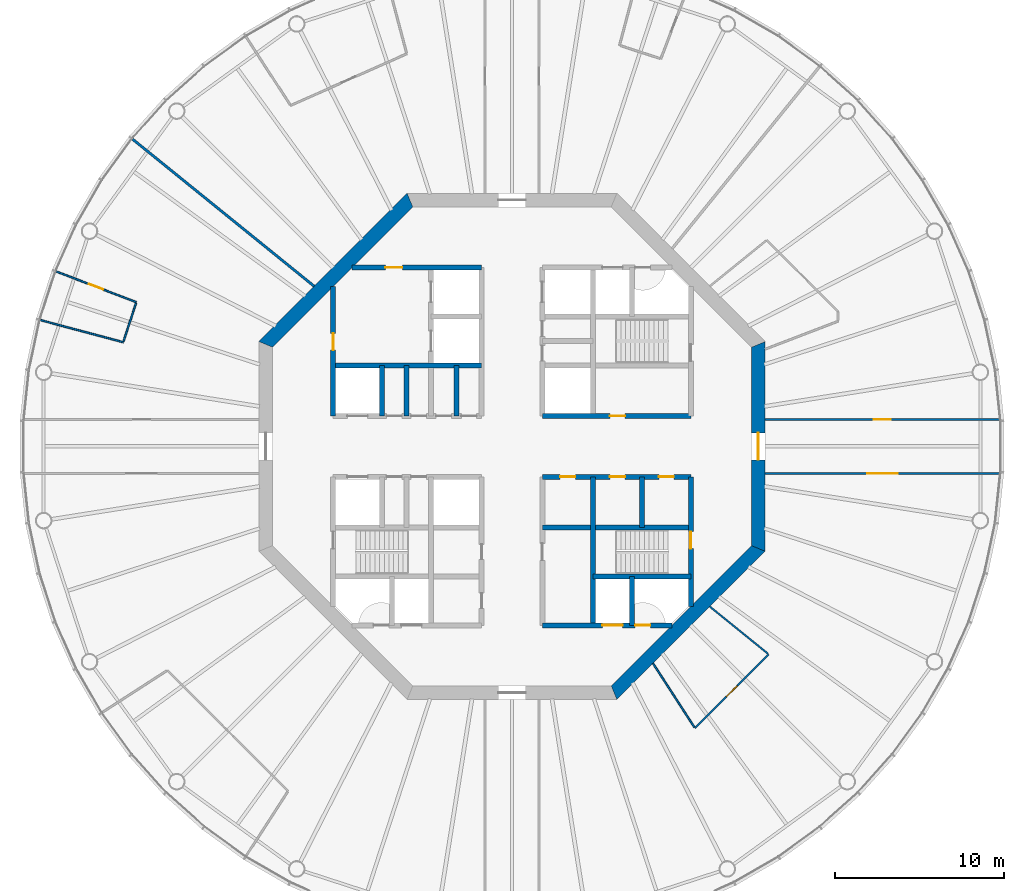
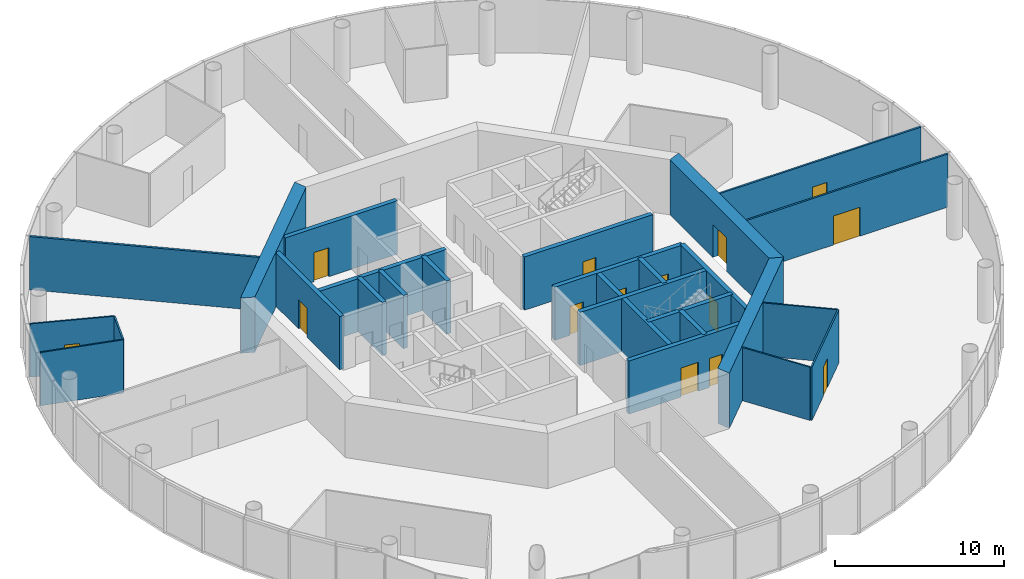
# One storey, part 4 of 13: 27 walls, 14 doors, 14 openings.
"""IFC4 building model written with IfcOpenShell, lengths in metres."""

from ifc_helpers import new_model, si_unit, direction, frame, frame_2d, origin, place, context, subcontext, project, spatial, polyline, rectangle, outline, extrude, material, layer, layer_set, type_object, element, fill, save


model = new_model("IFC4")

# Units and contexts
model_context = context("Model", 3, precision=1e-05, world=origin(), true_north=direction((0.0, 1.0)))
body_context = subcontext(model_context, "Body", "Model", "MODEL_VIEW")
ifc_project = project(units=[si_unit("LENGTHUNIT", "METRE"), si_unit("AREAUNIT", "SQUARE_METRE"), si_unit("VOLUMEUNIT", "CUBIC_METRE"), si_unit("PLANEANGLEUNIT", "RADIAN"), si_unit("MASSUNIT", "GRAM", prefix="KILO")], contexts=[model_context])

# Site, building, storey
site_placement = place(None, origin())
site = spatial("IfcSite", under=ifc_project, at=site_placement, CompositionType="ELEMENT")
building_placement = place(site_placement, origin())
building = spatial("IfcBuilding", under=site, at=building_placement, Name="Entoto Ring Tower", CompositionType="ELEMENT")
storey_placement = place(building_placement, frame((0.0, 0.0, 282.0)))
storey = spatial("IfcBuildingStorey", under=building, at=storey_placement, Name="L64", CompositionType="ELEMENT", Elevation=282.0)

# Wall, opening, door
ifc_material_1 = material(Name="Concrete C40/50", Category="concrete")
ifc_layer_1 = layer(ifc_material_1, 0.300048828125)
ifc_layer_set_1 = layer_set([ifc_layer_1], Name="Concrete C40/50")
wall_type_1 = type_object("IfcWallType", Name="Core enclosure wall 300 mm reinforced concrete", PredefinedType="SOLIDWALL", material=ifc_layer_set_1)
wall_1_placement = place(storey_placement, frame((100.60009765625, 70.518310546875, 0.0), z_axis=(0.0, 0.0, 1.0), x_axis=(0.0, 1.0, 0.0)))
wall_1 = element("IfcWall", 1, at=wall_1_placement, inside=storey, type_object=wall_type_1, Name="wall-L64-001", PredefinedType="SOLIDWALL", context=body_context, shape_type="SweptSolid", body=[
    extrude(rectangle(XDim=7.681640625, YDim=0.300048828125, at=frame_2d((3.8408203125, 0.0))), origin(), (0.0, 0.0, 1.0), 3.85009765625),
])
opening_1_placement = place(wall_1_placement, frame((3.431884765625, 0.0, 0.0)))
opening_1 = element("IfcOpeningElement", 2, at=opening_1_placement, cuts=wall_1, Name="Opening K-28", PredefinedType="OPENING", context=body_context, shape_type="SweptSolid", body=[
    extrude(rectangle(XDim=1.0, YDim=2.10009765625, at=frame_2d((0.5, 1.050048828125))), frame((0.0, 0.16015625, 0.0), z_axis=(0.0, -1.0, 0.0), x_axis=(1.0, 0.0, 0.0)), (0.0, 0.0, 1.0), 0.320068359375),
])
ifc_material_2 = material(Name="Steel door leaf, fire rated", Category="steel")
ifc_layer_2 = layer(ifc_material_2, 0.050048828125)
ifc_layer_set_2 = layer_set([ifc_layer_2], Name="Steel door leaf, fire rated")
door_type_1 = type_object("IfcDoorType", Name="Fire door FD60 1000 x 2100 single leaf", OperationType="NOTDEFINED", PredefinedType="DOOR", material=ifc_layer_set_2)
door_1_placement = place(opening_1_placement, origin())
door_1 = element("IfcDoor", 3, at=door_1_placement, inside=storey, type_object=door_type_1, Name="Door K-28", OperationType="SINGLE_SWING_RIGHT", OverallHeight=2.10009765625, OverallWidth=1.0, PredefinedType="DOOR", context=body_context, shape_type="SweptSolid", body=[
    extrude(rectangle(XDim=1.0, YDim=2.10009765625, at=frame_2d((0.5, 1.050048828125))), frame((0.0, 0.02490234375, 0.0), z_axis=(0.0, -1.0, 0.0), x_axis=(1.0, 0.0, 0.0)), (0.0, 0.0, 1.0), 0.050048828125),
])
fill(opening_1, door_1)

# Walls
wall_2_placement = place(storey_placement, frame((97.699951171875, 75.199951171875, 0.0), z_axis=(0.0, 0.0, 1.0), x_axis=(0.0, 1.0, 0.0)))
element("IfcWall", 4, at=wall_2_placement, inside=storey, type_object=wall_type_1, Name="wall-L64-003", PredefinedType="SOLIDWALL", context=body_context, shape_type="SweptSolid", body=[
    extrude(rectangle(XDim=3.0, YDim=0.300048828125, at=frame_2d((1.5, 0.0))), origin(), (0.0, 0.0, 1.0), 3.85009765625),
])
wall_3_placement = place(storey_placement, frame((97.10009765625, 69.39990234375, 0.0), z_axis=(0.0, 0.0, 1.0), x_axis=(0.0, 1.0, 0.0)))
element("IfcWall", 5, at=wall_3_placement, inside=storey, type_object=wall_type_1, Name="wall-L64-004", PredefinedType="SOLIDWALL", context=body_context, shape_type="SweptSolid", body=[
    extrude(rectangle(XDim=2.900146484375, YDim=0.300048828125, at=frame_2d((1.4501953125, 0.0))), origin(), (0.0, 0.0, 1.0), 3.85009765625),
])
wall_4_placement = place(storey_placement, frame((94.800048828125, 69.39990234375, 0.0), z_axis=(0.0, 0.0, 1.0), x_axis=(0.0, 1.0, 0.0)))
element("IfcWall", 6, at=wall_4_placement, inside=storey, type_object=wall_type_1, Name="wall-L64-006", PredefinedType="SOLIDWALL", context=body_context, shape_type="SweptSolid", body=[
    extrude(rectangle(XDim=8.800048828125, YDim=0.300048828125, at=frame_2d((4.39990234375, 0.0))), origin(), (0.0, 0.0, 1.0), 3.85009765625),
])
for number, where, z_axis, x_axis, name in (
    (7, (86.699951171875, 81.800048828125, 0.0), (0.0, 0.0, 1.0), (0.0, 1.0, 0.0), "wall-L64-012"),
    (8, (83.75, 81.800048828125, 0.0), (0.0, 0.0, 1.0), (0.0, 1.0, 0.0), "wall-L64-016"),
    (9, (82.300048828125, 81.800048828125, 0.0), (0.0, 0.0, 1.0), (0.0, 1.0, 0.0), "wall-L64-019"),
):
    element("IfcWall", number, at=place(storey_placement, frame(where, z_axis=z_axis, x_axis=x_axis)), inside=storey, type_object=wall_type_1, Name=name, PredefinedType="SOLIDWALL", context=body_context, shape_type="SweptSolid", body=[
        extrude(rectangle(XDim=3.0, YDim=0.300048828125, at=frame_2d((1.5, 0.0))), origin(), (0.0, 0.0, 1.0), 3.85009765625),
    ])

# Wall, opening, door
wall_5_placement = place(storey_placement, frame((79.39990234375, 81.800048828125, 0.0), z_axis=(0.0, 0.0, 1.0), x_axis=(0.0, 1.0, 0.0)))
wall_5 = element("IfcWall", 10, at=wall_5_placement, inside=storey, type_object=wall_type_1, Name="wall-L64-021", PredefinedType="SOLIDWALL", context=body_context, shape_type="SweptSolid", body=[
    extrude(rectangle(XDim=7.681640625, YDim=0.300048828125, at=frame_2d((3.8408203125, 0.0))), origin(), (0.0, 0.0, 1.0), 3.85009765625),
])
opening_2_placement = place(wall_5_placement, frame((3.89990234375, 0.0, 0.0)))
opening_2 = element("IfcOpeningElement", 11, at=opening_2_placement, cuts=wall_5, Name="Opening K-86", PredefinedType="OPENING", context=body_context, shape_type="SweptSolid", body=[
    extrude(rectangle(XDim=1.0, YDim=2.10009765625, at=frame_2d((0.5, 1.050048828125))), frame((0.0, 0.16015625, 0.0), z_axis=(0.0, -1.0, 0.0), x_axis=(1.0, 0.0, 0.0)), (0.0, 0.0, 1.0), 0.320068359375),
])
door_2_placement = place(opening_2_placement, frame((1.0, 0.0, 0.0), z_axis=(0.0, 0.0, 1.0), x_axis=(-1.0, 0.0, 0.0)))
door_2 = element("IfcDoor", 12, at=door_2_placement, inside=storey, type_object=door_type_1, Name="Door K-86", OperationType="SINGLE_SWING_RIGHT", OverallHeight=2.10009765625, OverallWidth=1.0, PredefinedType="DOOR", context=body_context, shape_type="SweptSolid", body=[
    extrude(rectangle(XDim=1.0, YDim=2.10009765625, at=frame_2d((0.5, 1.050048828125))), frame((0.0, 0.02490234375, 0.0), z_axis=(0.0, -1.0, 0.0), x_axis=(1.0, 0.0, 0.0)), (0.0, 0.0, 1.0), 0.050048828125),
])
fill(opening_2, door_2)

# Wall, openings, doors
wall_6_placement = place(storey_placement, frame((91.800048828125, 69.39990234375, 0.0), z_axis=(0.0, 0.0, 1.0), x_axis=(1.0, 0.0, 0.0)))
wall_6 = element("IfcWall", 13, at=wall_6_placement, inside=storey, type_object=wall_type_1, Name="wall-L64-023", PredefinedType="SOLIDWALL", context=body_context, shape_type="SweptSolid", body=[
    extrude(rectangle(XDim=7.681640625, YDim=0.300048828125, at=frame_2d((3.8408203125, 0.0))), origin(), (0.0, 0.0, 1.0), 3.85009765625),
])
opening_3_placement = place(wall_6_placement, frame((3.550048828125, 0.0, 0.0)))
opening_3 = element("IfcOpeningElement", 14, at=opening_3_placement, cuts=wall_6, Name="Opening LD", PredefinedType="OPENING", context=body_context, shape_type="SweptSolid", body=[
    extrude(rectangle(XDim=1.199951171875, YDim=2.10009765625, at=frame_2d((0.60009765625, 1.050048828125))), frame((0.0, 0.16015625, 0.0), z_axis=(0.0, -1.0, 0.0), x_axis=(1.0, 0.0, 0.0)), (0.0, 0.0, 1.0), 0.320068359375),
])
opening_4_placement = place(wall_6_placement, frame((5.5, 0.0, 0.0)))
opening_4 = element("IfcOpeningElement", 15, at=opening_4_placement, cuts=wall_6, Name="Opening K-85", PredefinedType="OPENING", context=body_context, shape_type="SweptSolid", body=[
    extrude(rectangle(XDim=0.89990234375, YDim=2.10009765625, at=frame_2d((0.449951171875, 1.050048828125))), frame((0.0, 0.16015625, 0.0), z_axis=(0.0, -1.0, 0.0), x_axis=(1.0, 0.0, 0.0)), (0.0, 0.0, 1.0), 0.320068359375),
])
ifc_material_3 = material(Name="Steel and glass door leaf", Category="steel")
ifc_layer_3 = layer(ifc_material_3, 0.050048828125)
ifc_layer_set_3 = layer_set([ifc_layer_3], Name="Steel and glass door leaf")
door_type_2 = type_object("IfcDoorType", Name="Landing door 1200 x 2100 sliding", OperationType="DOUBLE_DOOR_SLIDING", PredefinedType="DOOR", material=ifc_layer_set_3)
door_3_placement = place(opening_3_placement, origin())
door_3 = element("IfcDoor", 16, at=door_3_placement, inside=storey, type_object=door_type_2, Name="Landing door LB2-HR", OperationType="SLIDING_TO_RIGHT", OverallHeight=2.10009765625, OverallWidth=1.199951171875, PredefinedType="DOOR", context=body_context, shape_type="SweptSolid", body=[
    extrude(rectangle(XDim=1.199951171875, YDim=2.10009765625, at=frame_2d((0.60009765625, 1.050048828125))), frame((0.0, 0.02490234375, 0.0), z_axis=(0.0, -1.0, 0.0), x_axis=(1.0, 0.0, 0.0)), (0.0, 0.0, 1.0), 0.050048828125),
])
fill(opening_3, door_3)
ifc_material_4 = material(Name="Steel door leaf, fire rated", Category="steel")
ifc_layer_4 = layer(ifc_material_4, 0.050048828125)
ifc_layer_set_4 = layer_set([ifc_layer_4], Name="Steel door leaf, fire rated")
door_type_3 = type_object("IfcDoorType", Name="Riser door FD60 900 x 2100 single leaf", OperationType="NOTDEFINED", PredefinedType="DOOR", material=ifc_layer_set_4)
door_4_placement = place(opening_4_placement, origin())
door_4 = element("IfcDoor", 17, at=door_4_placement, inside=storey, type_object=door_type_3, Name="Door K-85", OperationType="SINGLE_SWING_LEFT", OverallHeight=2.10009765625, OverallWidth=0.89990234375, PredefinedType="DOOR", context=body_context, shape_type="SweptSolid", body=[
    extrude(rectangle(XDim=0.89990234375, YDim=2.10009765625, at=frame_2d((0.449951171875, 1.050048828125))), frame((0.0, 0.02490234375, 0.0), z_axis=(0.0, -1.0, 0.0), x_axis=(1.0, 0.0, 0.0)), (0.0, 0.0, 1.0), 0.050048828125),
])
fill(opening_4, door_4)

# Walls
wall_7_placement = place(storey_placement, frame((94.800048828125, 72.300048828125, 0.0), z_axis=(0.0, 0.0, 1.0), x_axis=(1.0, 0.0, 0.0)))
element("IfcWall", 18, at=wall_7_placement, inside=storey, type_object=wall_type_1, Name="wall-L64-025", PredefinedType="SOLIDWALL", context=body_context, shape_type="SweptSolid", body=[
    extrude(rectangle(XDim=5.800048828125, YDim=0.300048828125, at=frame_2d((2.89990234375, 0.0))), origin(), (0.0, 0.0, 1.0), 3.85009765625),
])
wall_8_placement = place(storey_placement, frame((91.800048828125, 75.199951171875, 0.0), z_axis=(0.0, 0.0, 1.0), x_axis=(1.0, 0.0, 0.0)))
element("IfcWall", 19, at=wall_8_placement, inside=storey, type_object=wall_type_1, Name="wall-L64-027", PredefinedType="SOLIDWALL", context=body_context, shape_type="SweptSolid", body=[
    extrude(rectangle(XDim=8.800048828125, YDim=0.300048828125, at=frame_2d((4.39990234375, 0.0))), origin(), (0.0, 0.0, 1.0), 3.85009765625),
])

# Wall, openings, doors
wall_9_placement = place(storey_placement, frame((91.800048828125, 78.199951171875, 0.0), z_axis=(0.0, 0.0, 1.0), x_axis=(1.0, 0.0, 0.0)))
wall_9 = element("IfcWall", 20, at=wall_9_placement, inside=storey, type_object=wall_type_1, Name="wall-L64-029", PredefinedType="SOLIDWALL", context=body_context, shape_type="SweptSolid", body=[
    extrude(rectangle(XDim=8.800048828125, YDim=0.300048828125, at=frame_2d((4.39990234375, 0.0))), origin(), (0.0, 0.0, 1.0), 3.85009765625),
])
opening_5_placement = place(wall_9_placement, frame((4.0, 0.0, 0.0)))
opening_5 = element("IfcOpeningElement", 21, at=opening_5_placement, cuts=wall_9, Name="Opening K-14", PredefinedType="OPENING", context=body_context, shape_type="SweptSolid", body=[
    extrude(rectangle(XDim=0.89990234375, YDim=2.10009765625, at=frame_2d((0.449951171875, 1.050048828125))), frame((0.0, 0.16015625, 0.0), z_axis=(0.0, -1.0, 0.0), x_axis=(1.0, 0.0, 0.0)), (0.0, 0.0, 1.0), 0.320068359375),
])
opening_6_placement = place(wall_9_placement, frame((6.89990234375, 0.0, 0.0)))
opening_6 = element("IfcOpeningElement", 22, at=opening_6_placement, cuts=wall_9, Name="Opening K-15", PredefinedType="OPENING", context=body_context, shape_type="SweptSolid", body=[
    extrude(rectangle(XDim=0.89990234375, YDim=2.10009765625, at=frame_2d((0.449951171875, 1.050048828125))), frame((0.0, 0.16015625, 0.0), z_axis=(0.0, -1.0, 0.0), x_axis=(1.0, 0.0, 0.0)), (0.0, 0.0, 1.0), 0.320068359375),
])
opening_7_placement = place(wall_9_placement, frame((1.050048828125, 0.0, 0.0)))
opening_7 = element("IfcOpeningElement", 23, at=opening_7_placement, cuts=wall_9, Name="Opening K-25", PredefinedType="OPENING", context=body_context, shape_type="SweptSolid", body=[
    extrude(rectangle(XDim=0.89990234375, YDim=2.10009765625, at=frame_2d((0.449951171875, 1.050048828125))), frame((0.0, 0.16015625, 0.0), z_axis=(0.0, -1.0, 0.0), x_axis=(1.0, 0.0, 0.0)), (0.0, 0.0, 1.0), 0.320068359375),
])
ifc_material_5 = material(Name="Steel door leaf, fire rated", Category="steel")
ifc_layer_5 = layer(ifc_material_5, 0.050048828125)
ifc_layer_set_5 = layer_set([ifc_layer_5], Name="Steel door leaf, fire rated")
door_type_4 = type_object("IfcDoorType", Name="Core door 900 x 2100 single leaf", OperationType="NOTDEFINED", PredefinedType="DOOR", material=ifc_layer_set_5)
door_5_placement = place(opening_5_placement, frame((0.89990234375, 0.0, 0.0), z_axis=(0.0, 0.0, 1.0), x_axis=(-1.0, 0.0, 0.0)))
door_5 = element("IfcDoor", 24, at=door_5_placement, inside=storey, type_object=door_type_4, Name="Door K-14", OperationType="SINGLE_SWING_RIGHT", OverallHeight=2.10009765625, OverallWidth=0.89990234375, PredefinedType="DOOR", context=body_context, shape_type="SweptSolid", body=[
    extrude(rectangle(XDim=0.89990234375, YDim=2.10009765625, at=frame_2d((0.449951171875, 1.050048828125))), frame((0.0, 0.02490234375, 0.0), z_axis=(0.0, -1.0, 0.0), x_axis=(1.0, 0.0, 0.0)), (0.0, 0.0, 1.0), 0.050048828125),
])
fill(opening_5, door_5)
door_6_placement = place(opening_6_placement, frame((0.89990234375, 0.0, 0.0), z_axis=(0.0, 0.0, 1.0), x_axis=(-1.0, 0.0, 0.0)))
door_6 = element("IfcDoor", 25, at=door_6_placement, inside=storey, type_object=door_type_4, Name="Door K-15", OperationType="SINGLE_SWING_LEFT", OverallHeight=2.10009765625, OverallWidth=0.89990234375, PredefinedType="DOOR", context=body_context, shape_type="SweptSolid", body=[
    extrude(rectangle(XDim=0.89990234375, YDim=2.10009765625, at=frame_2d((0.449951171875, 1.050048828125))), frame((0.0, 0.02490234375, 0.0), z_axis=(0.0, -1.0, 0.0), x_axis=(1.0, 0.0, 0.0)), (0.0, 0.0, 1.0), 0.050048828125),
])
fill(opening_6, door_6)
door_7_placement = place(opening_7_placement, frame((0.89990234375, 0.0, 0.0), z_axis=(0.0, 0.0, 1.0), x_axis=(-1.0, 0.0, 0.0)))
door_7 = element("IfcDoor", 26, at=door_7_placement, inside=storey, type_object=door_type_4, Name="Door K-25", OperationType="SINGLE_SWING_RIGHT", OverallHeight=2.10009765625, OverallWidth=0.89990234375, PredefinedType="DOOR", context=body_context, shape_type="SweptSolid", body=[
    extrude(rectangle(XDim=0.89990234375, YDim=2.10009765625, at=frame_2d((0.449951171875, 1.050048828125))), frame((0.0, 0.02490234375, 0.0), z_axis=(0.0, -1.0, 0.0), x_axis=(1.0, 0.0, 0.0)), (0.0, 0.0, 1.0), 0.050048828125),
])
fill(opening_7, door_7)

# Wall, opening, door
wall_10_placement = place(storey_placement, frame((91.800048828125, 81.800048828125, 0.0), z_axis=(0.0, 0.0, 1.0), x_axis=(1.0, 0.0, 0.0)))
wall_10 = element("IfcWall", 27, at=wall_10_placement, inside=storey, type_object=wall_type_1, Name="wall-L64-031", PredefinedType="SOLIDWALL", context=body_context, shape_type="SweptSolid", body=[
    extrude(rectangle(XDim=8.800048828125, YDim=0.300048828125, at=frame_2d((4.39990234375, 0.0))), origin(), (0.0, 0.0, 1.0), 3.85009765625),
])
opening_8_placement = place(wall_10_placement, frame((4.0, 0.0, 0.0)))
opening_8 = element("IfcOpeningElement", 28, at=opening_8_placement, cuts=wall_10, Name="Opening K-11", PredefinedType="OPENING", context=body_context, shape_type="SweptSolid", body=[
    extrude(rectangle(XDim=0.89990234375, YDim=2.10009765625, at=frame_2d((0.449951171875, 1.050048828125))), frame((0.0, 0.16015625, 0.0), z_axis=(0.0, -1.0, 0.0), x_axis=(1.0, 0.0, 0.0)), (0.0, 0.0, 1.0), 0.320068359375),
])
door_8_placement = place(opening_8_placement, origin())
door_8 = element("IfcDoor", 29, at=door_8_placement, inside=storey, type_object=door_type_4, Name="Door K-11", OperationType="SINGLE_SWING_LEFT", OverallHeight=2.10009765625, OverallWidth=0.89990234375, PredefinedType="DOOR", context=body_context, shape_type="SweptSolid", body=[
    extrude(rectangle(XDim=0.89990234375, YDim=2.10009765625, at=frame_2d((0.449951171875, 1.050048828125))), frame((0.0, 0.02490234375, 0.0), z_axis=(0.0, -1.0, 0.0), x_axis=(1.0, 0.0, 0.0)), (0.0, 0.0, 1.0), 0.050048828125),
])
fill(opening_8, door_8)

# Wall
wall_11_placement = place(storey_placement, frame((79.39990234375, 84.800048828125, 0.0), z_axis=(0.0, 0.0, 1.0), x_axis=(1.0, 0.0, 0.0)))
element("IfcWall", 30, at=wall_11_placement, inside=storey, type_object=wall_type_1, Name="wall-L64-032", PredefinedType="SOLIDWALL", context=body_context, shape_type="SweptSolid", body=[
    extrude(rectangle(XDim=8.800048828125, YDim=0.300048828125, at=frame_2d((4.39990234375, 0.0))), origin(), (0.0, 0.0, 1.0), 3.85009765625),
])

# Wall, opening, door
wall_12_placement = place(storey_placement, frame((80.518310546875, 90.60009765625, 0.0), z_axis=(0.0, 0.0, 1.0), x_axis=(1.0, 0.0, 0.0)))
wall_12 = element("IfcWall", 31, at=wall_12_placement, inside=storey, type_object=wall_type_1, Name="wall-L64-037", PredefinedType="SOLIDWALL", context=body_context, shape_type="SweptSolid", body=[
    extrude(rectangle(XDim=7.681640625, YDim=0.300048828125, at=frame_2d((3.8408203125, 0.0))), origin(), (0.0, 0.0, 1.0), 3.85009765625),
])
opening_9_placement = place(wall_12_placement, frame((1.981689453125, 0.0, 0.0)))
opening_9 = element("IfcOpeningElement", 32, at=opening_9_placement, cuts=wall_12, Name="Opening K-87", PredefinedType="OPENING", context=body_context, shape_type="SweptSolid", body=[
    extrude(rectangle(XDim=1.0, YDim=2.10009765625, at=frame_2d((0.5, 1.050048828125))), frame((0.0, 0.16015625, 0.0), z_axis=(0.0, -1.0, 0.0), x_axis=(1.0, 0.0, 0.0)), (0.0, 0.0, 1.0), 0.320068359375),
])
door_9_placement = place(opening_9_placement, frame((1.0, 0.0, 0.0), z_axis=(0.0, 0.0, 1.0), x_axis=(-1.0, 0.0, 0.0)))
door_9 = element("IfcDoor", 33, at=door_9_placement, inside=storey, type_object=door_type_1, Name="Door K-87", OperationType="SINGLE_SWING_LEFT", OverallHeight=2.10009765625, OverallWidth=1.0, PredefinedType="DOOR", context=body_context, shape_type="SweptSolid", body=[
    extrude(rectangle(XDim=1.0, YDim=2.10009765625, at=frame_2d((0.5, 1.050048828125))), frame((0.0, 0.02490234375, 0.0), z_axis=(0.0, -1.0, 0.0), x_axis=(1.0, 0.0, 0.0)), (0.0, 0.0, 1.0), 0.050048828125),
])
fill(opening_9, door_9)

ifc_material_6 = material(Name="Concrete C40/50", Category="concrete")
ifc_layer_6 = layer(ifc_material_6, 0.800048828125)
ifc_layer_set_6 = layer_set([ifc_layer_6], Name="Concrete C40/50")
wall_type_2 = type_object("IfcWallType", Name="Core shear wall 800 mm reinforced concrete C40/50", PredefinedType="SHEAR", material=ifc_layer_set_6)
wall_13_placement = place(storey_placement, frame((104.60009765625, 73.952392578125, 0.0), z_axis=(0.0, 0.0, 1.0), x_axis=(0.0, 1.0, 0.0)))
wall_13 = element("IfcWall", 34, at=wall_13_placement, inside=storey, type_object=wall_type_2, Name="wall-L64-core-0", PredefinedType="SHEAR", context=body_context, shape_type="SweptSolid", body=[
    extrude(outline(polyline([(-0.165771484375, -0.39990234375), (12.260986328125, -0.39990234375), (11.929443359375, 0.39990234375), (0.165771484375, 0.39990234375), (-0.165771484375, -0.39990234375)])), origin(), (0.0, 0.0, 1.0), 4.0),
])
opening_10_placement = place(wall_13_placement, frame((5.24755859375, 0.0, 0.0)))
opening_10 = element("IfcOpeningElement", 35, at=opening_10_placement, cuts=wall_13, Name="Opening K-01", PredefinedType="OPENING", context=body_context, shape_type="SweptSolid", body=[
    extrude(rectangle(XDim=1.60009765625, YDim=2.39990234375, at=frame_2d((0.800048828125, 1.199951171875))), frame((0.0, 0.41015625, 0.0), z_axis=(0.0, -1.0, 0.0), x_axis=(1.0, 0.0, 0.0)), (0.0, 0.0, 1.0), 0.820068359375),
])
ifc_material_7 = material(Name="Steel door leaf, fire rated", Category="steel")
ifc_layer_7 = layer(ifc_material_7, 0.050048828125)
ifc_layer_set_7 = layer_set([ifc_layer_7], Name="Steel door leaf, fire rated")
door_type_5 = type_object("IfcDoorType", Name="Entrance door FD60 1600 x 2400 double leaf", OperationType="DOUBLE_DOOR_SINGLE_SWING", PredefinedType="DOOR", material=ifc_layer_set_7)
door_10_placement = place(opening_10_placement, origin())
door_10 = element("IfcDoor", 36, at=door_10_placement, inside=storey, type_object=door_type_5, Name="Entrance door K-01", OperationType="DOUBLE_DOOR_SINGLE_SWING", OverallHeight=2.39990234375, OverallWidth=1.60009765625, PredefinedType="DOOR", context=body_context, shape_type="SweptSolid", body=[
    extrude(rectangle(XDim=1.60009765625, YDim=2.39990234375, at=frame_2d((0.800048828125, 1.199951171875))), frame((0.0, 0.02490234375, 0.0), z_axis=(0.0, -1.0, 0.0), x_axis=(1.0, 0.0, 0.0)), (0.0, 0.0, 1.0), 0.050048828125),
])
fill(opening_10, door_10)

# Walls
for number, where, z_axis, x_axis, name in (
    (37, (83.952392578125, 94.60009765625, 0.0), (0.0, 0.0, 1.0), (-0.707106781187, -0.707106781187, 0.0), "wall-L64-core-3"),
    (38, (96.047607421875, 65.39990234375, 0.0), (0.0, 0.0, 1.0), (0.707106781187, 0.707106781187, 0.0), "wall-L64-core-7"),
):
    element("IfcWall", number, at=place(storey_placement, frame(where, z_axis=z_axis, x_axis=x_axis)), inside=storey, type_object=wall_type_2, Name=name, PredefinedType="SHEAR", context=body_context, shape_type="SweptSolid", body=[
        extrude(outline(polyline([(-0.165771484375, -0.39990234375), (12.2607421875, -0.39990234375), (11.92919921875, 0.39990234375), (0.165771484375, 0.39990234375), (-0.165771484375, -0.39990234375)])), origin(), (0.0, 0.0, 1.0), 4.0),
    ])

# Wall, opening, door
ifc_material_8 = material(Name="Fire-resisting plasterboard on steel studs", Category="steel")
ifc_layer_8 = layer(ifc_material_8, 0.125)
ifc_layer_set_8 = layer_set([ifc_layer_8], Name="Fire-resisting plasterboard on steel studs")
wall_type_3 = type_object("IfcWallType", Name="Corridor wall 125 mm one-hour plasterboard on steel studs", PredefinedType="PARTITIONING", material=ifc_layer_set_8)
wall_14_placement = place(storey_placement, frame((105.0, 78.39990234375, 0.0), z_axis=(0.0, 0.0, 1.0), x_axis=(1.0, 0.0, 0.0)))
wall_14 = element("IfcWall", 39, at=wall_14_placement, inside=storey, type_object=wall_type_3, Name="partition-L64-007", PredefinedType="PARTITIONING", context=body_context, shape_type="SweptSolid", body=[
    extrude(rectangle(XDim=13.891357421875, YDim=0.125, at=frame_2d((6.94580078125, 0.0))), origin(), (0.0, 0.0, 1.0), 3.85009765625),
])
opening_11_placement = place(wall_14_placement, frame((6.045654296875, 0.0, 0.0)))
opening_11 = element("IfcOpeningElement", 40, at=opening_11_placement, cuts=wall_14, Name="Opening A28-D11", PredefinedType="OPENING", context=body_context, shape_type="SweptSolid", body=[
    extrude(rectangle(XDim=1.800048828125, YDim=2.10009765625, at=frame_2d((0.89990234375, 1.050048828125))), frame((0.0, 0.072509765625, 0.0), z_axis=(0.0, -1.0, 0.0), x_axis=(1.0, 0.0, 0.0)), (0.0, 0.0, 1.0), 0.14501953125),
])
ifc_material_9 = material(Name="Fire-resisting timber door set", Category="wood")
door_type_6 = type_object("IfcDoorType", Name="Door 1800 x 2100 double leaf FD30S fire door", OperationType="DOUBLE_DOOR_SINGLE_SWING", PredefinedType="DOOR", material=ifc_material_9)
door_11_placement = place(opening_11_placement, frame((1.800048828125, 0.0, 0.0), z_axis=(0.0, 0.0, 1.0), x_axis=(-1.0, 0.0, 0.0)))
door_11 = element("IfcDoor", 41, at=door_11_placement, inside=storey, type_object=door_type_6, Name="Door A28-D11", OperationType="DOUBLE_DOOR_SINGLE_SWING", OverallHeight=2.10009765625, OverallWidth=1.800048828125, PredefinedType="DOOR", context=body_context, shape_type="SweptSolid", body=[
    extrude(rectangle(XDim=1.800048828125, YDim=2.10009765625, at=frame_2d((0.89990234375, 1.050048828125))), frame((0.0, 0.02490234375, 0.0), z_axis=(0.0, -1.0, 0.0), x_axis=(1.0, 0.0, 0.0)), (0.0, 0.0, 1.0), 0.050048828125),
])
fill(opening_11, door_11)

wall_15_placement = place(storey_placement, frame((105.0, 81.60009765625, 0.0), z_axis=(0.0, 0.0, 1.0), x_axis=(1.0, 0.0, 0.0)))
wall_15 = element("IfcWall", 42, at=wall_15_placement, inside=storey, type_object=wall_type_3, Name="partition-L64-008", PredefinedType="PARTITIONING", context=body_context, shape_type="SweptSolid", body=[
    extrude(rectangle(XDim=13.891357421875, YDim=0.125, at=frame_2d((6.94580078125, 0.0))), origin(), (0.0, 0.0, 1.0), 3.85009765625),
])
opening_12_placement = place(wall_15_placement, frame((6.44580078125, 0.0, 0.0)))
opening_12 = element("IfcOpeningElement", 43, at=opening_12_placement, cuts=wall_15, Name="Opening A28-D01", PredefinedType="OPENING", context=body_context, shape_type="SweptSolid", body=[
    extrude(rectangle(XDim=1.0, YDim=2.10009765625, at=frame_2d((0.5, 1.050048828125))), frame((0.0, 0.072509765625, 0.0), z_axis=(0.0, -1.0, 0.0), x_axis=(1.0, 0.0, 0.0)), (0.0, 0.0, 1.0), 0.14501953125),
])
ifc_material_10 = material(Name="Fire-resisting timber door set", Category="wood")
door_type_7 = type_object("IfcDoorType", Name="Door 1000 x 2100 single leaf FD30S fire door", OperationType="NOTDEFINED", PredefinedType="DOOR", material=ifc_material_10)
door_12_placement = place(opening_12_placement, origin())
door_12 = element("IfcDoor", 44, at=door_12_placement, inside=storey, type_object=door_type_7, Name="Door A28-D01", OperationType="SINGLE_SWING_RIGHT", OverallHeight=2.10009765625, OverallWidth=1.0, PredefinedType="DOOR", context=body_context, shape_type="SweptSolid", body=[
    extrude(rectangle(XDim=1.0, YDim=2.10009765625, at=frame_2d((0.5, 1.050048828125))), frame((0.0, 0.02490234375, 0.0), z_axis=(0.0, -1.0, 0.0), x_axis=(1.0, 0.0, 0.0)), (0.0, 0.0, 1.0), 0.050048828125),
])
fill(opening_12, door_12)

ifc_material_11 = material(Name="Plasterboard on steel studs", Category="steel")
ifc_layer_9 = layer(ifc_material_11, 0.10009765625)
ifc_layer_set_9 = layer_set([ifc_layer_9], Name="Plasterboard on steel studs")
wall_type_4 = type_object("IfcWallType", Name="Partition 100 mm plasterboard on steel studs", PredefinedType="PARTITIONING", material=ifc_layer_set_9)
wall_16_placement = place(storey_placement, frame((100.841064453125, 63.306396484375, 0.0), z_axis=(0.0, 0.0, 1.0), x_axis=(0.707106781187, 0.707106781187, 0.0)))
wall_16 = element("IfcWall", 45, at=wall_16_placement, inside=storey, type_object=wall_type_4, Name="partition-L64-013", PredefinedType="PARTITIONING", context=body_context, shape_type="SweptSolid", body=[
    extrude(rectangle(XDim=6.184814453125, YDim=0.10009765625, at=frame_2d((3.09228515625, 0.0))), origin(), (0.0, 0.0, 1.0), 3.85009765625),
])
opening_13_placement = place(wall_16_placement, frame((2.642333984375, 0.0, 0.0)))
opening_13 = element("IfcOpeningElement", 46, at=opening_13_placement, cuts=wall_16, Name="Opening A28-D12", PredefinedType="OPENING", context=body_context, shape_type="SweptSolid", body=[
    extrude(rectangle(XDim=0.89990234375, YDim=2.10009765625, at=frame_2d((0.449951171875, 1.050048828125))), frame((0.0, 0.06005859375, 0.0), z_axis=(0.0, -1.0, 0.0), x_axis=(1.0, 0.0, 0.0)), (0.0, 0.0, 1.0), 0.1201171875),
])
ifc_material_12 = material(Name="Veneered timber door leaf in timber frame", Category="wood")
door_type_8 = type_object("IfcDoorType", Name="Door 900 x 2100 single leaf timber veneer", OperationType="NOTDEFINED", PredefinedType="DOOR", material=ifc_material_12)
door_13_placement = place(opening_13_placement, origin())
door_13 = element("IfcDoor", 47, at=door_13_placement, inside=storey, type_object=door_type_8, Name="Door A28-D12", OperationType="SINGLE_SWING_LEFT", OverallHeight=2.10009765625, OverallWidth=0.89990234375, PredefinedType="DOOR", context=body_context, shape_type="SweptSolid", body=[
    extrude(rectangle(XDim=0.89990234375, YDim=2.10009765625, at=frame_2d((0.449951171875, 1.050048828125))), frame((0.0, 0.02490234375, 0.0), z_axis=(0.0, -1.0, 0.0), x_axis=(1.0, 0.0, 0.0)), (0.0, 0.0, 1.0), 0.050048828125),
])
fill(opening_13, door_13)

wall_17_placement = place(storey_placement, frame((67.734130859375, 88.547119140625, 0.0), z_axis=(0.0, 0.0, 1.0), x_axis=(-0.93358892458, 0.358345810498, 0.0)))
wall_17 = element("IfcWall", 48, at=wall_17_placement, inside=storey, type_object=wall_type_4, Name="partition-L64-015", PredefinedType="PARTITIONING", context=body_context, shape_type="SweptSolid", body=[
    extrude(rectangle(XDim=5.090087890625, YDim=0.10009765625, at=frame_2d((2.544921875, 0.0))), origin(), (0.0, 0.0, 1.0), 3.85009765625),
])
opening_14_placement = place(wall_17_placement, frame((2.094970703125, 0.0, 0.0)))
opening_14 = element("IfcOpeningElement", 49, at=opening_14_placement, cuts=wall_17, Name="Opening A28-D08", PredefinedType="OPENING", context=body_context, shape_type="SweptSolid", body=[
    extrude(rectangle(XDim=0.89990234375, YDim=2.10009765625, at=frame_2d((0.449951171875, 1.050048828125))), frame((0.0, 0.06005859375, 0.0), z_axis=(0.0, -1.0, 0.0), x_axis=(1.0, 0.0, 0.0)), (0.0, 0.0, 1.0), 0.1201171875),
])
door_14_placement = place(opening_14_placement, origin())
door_14 = element("IfcDoor", 50, at=door_14_placement, inside=storey, type_object=door_type_8, Name="Door A28-D08", OperationType="SINGLE_SWING_RIGHT", OverallHeight=2.10009765625, OverallWidth=0.89990234375, PredefinedType="DOOR", context=body_context, shape_type="SweptSolid", body=[
    extrude(rectangle(XDim=0.89990234375, YDim=2.10009765625, at=frame_2d((0.449951171875, 1.050048828125))), frame((0.0, 0.02490234375, 0.0), z_axis=(0.0, -1.0, 0.0), x_axis=(1.0, 0.0, 0.0)), (0.0, 0.0, 1.0), 0.050048828125),
])
fill(opening_14, door_14)

# Walls
wall_18_placement = place(storey_placement, frame((66.962646484375, 86.1728515625, 0.0), z_axis=(0.0, 0.0, 1.0), x_axis=(-0.965925356673, 0.258820797726, 0.0)))
element("IfcWall", 51, at=wall_18_placement, inside=storey, type_object=wall_type_4, Name="partition-L64-016", PredefinedType="PARTITIONING", context=body_context, shape_type="SweptSolid", body=[
    extrude(rectangle(XDim=5.08984375, YDim=0.10009765625, at=frame_2d((2.544921875, 0.0))), origin(), (0.0, 0.0, 1.0), 3.85009765625),
])
wall_19_placement = place(storey_placement, frame((100.8076171875, 63.35791015625, 0.0), z_axis=(0.0, 0.0, 1.0), x_axis=(-0.544662825307, 0.838655117869, 0.0)))
element("IfcWall", 52, at=wall_19_placement, inside=storey, type_object=wall_type_4, Name="partition-L64-022", PredefinedType="PARTITIONING", context=body_context, shape_type="SweptSolid", body=[
    extrude(rectangle(XDim=4.50830078125, YDim=0.10009765625, at=frame_2d((2.254150390625, 0.0))), origin(), (0.0, 0.0, 1.0), 3.85009765625),
])
wall_20_placement = place(storey_placement, frame((105.17138671875, 67.714599609375, 0.0), z_axis=(0.0, 0.0, 1.0), x_axis=(-0.77714752614, 0.629318458822, 0.0)))
element("IfcWall", 53, at=wall_20_placement, inside=storey, type_object=wall_type_4, Name="partition-L64-023", PredefinedType="PARTITIONING", context=body_context, shape_type="SweptSolid", body=[
    extrude(rectangle(XDim=4.439208984375, YDim=0.10009765625, at=frame_2d((2.2197265625, 0.0))), origin(), (0.0, 0.0, 1.0), 3.85009765625),
])
wall_21_placement = place(storey_placement, frame((66.97802734375, 86.22021484375, 0.0), z_axis=(0.0, 0.0, 1.0), x_axis=(0.309067645047, 0.951040057403, 0.0)))
element("IfcWall", 54, at=wall_21_placement, inside=storey, type_object=wall_type_4, Name="partition-L64-028", PredefinedType="PARTITIONING", context=body_context, shape_type="SweptSolid", body=[
    extrude(rectangle(XDim=2.396728515625, YDim=0.10009765625, at=frame_2d((1.1982421875, 0.0))), origin(), (0.0, 0.0, 1.0), 3.85009765625),
])
ifc_material_13 = material(Name="Fire-resisting acoustic plasterboard on steel studs", Category="steel")
ifc_layer_10 = layer(ifc_material_13, 0.14990234375)
ifc_layer_set_10 = layer_set([ifc_layer_10], Name="Fire-resisting acoustic plasterboard on steel studs")
wall_type_5 = type_object("IfcWallType", Name="Party wall 150 mm one-hour acoustic plasterboard on steel studs", PredefinedType="PARTITIONING", material=ifc_layer_set_10)
wall_22_placement = place(storey_placement, frame((78.278564453125, 89.49169921875, 0.0), z_axis=(0.0, 0.0, 1.0), x_axis=(-0.777142288207, 0.629324927109, 0.0)))
element("IfcWall", 55, at=wall_22_placement, inside=storey, type_object=wall_type_5, Name="partition-L64-009", PredefinedType="PARTITIONING", context=body_context, shape_type="SweptSolid", body=[
    extrude(rectangle(XDim=13.857177734375, YDim=0.14990234375, at=frame_2d((6.9287109375, 0.0))), origin(), (0.0, 0.0, 1.0), 3.85009765625),
])

save(model, "model.ifc")
